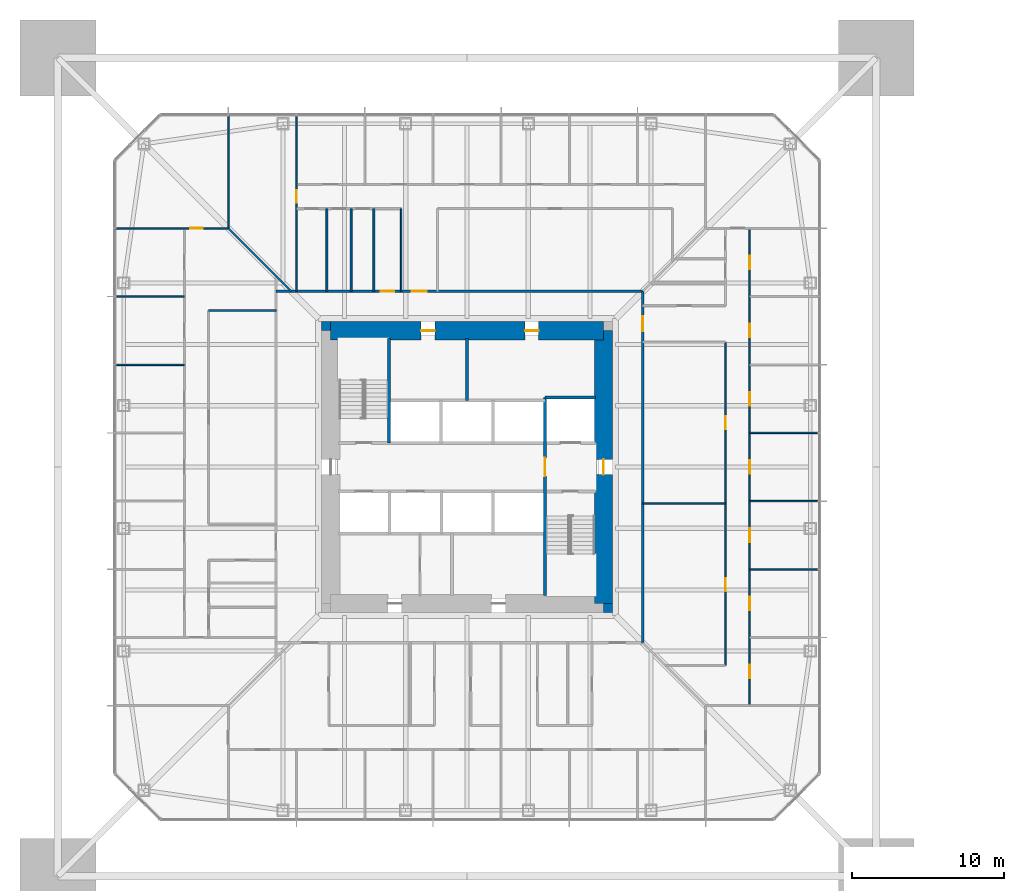
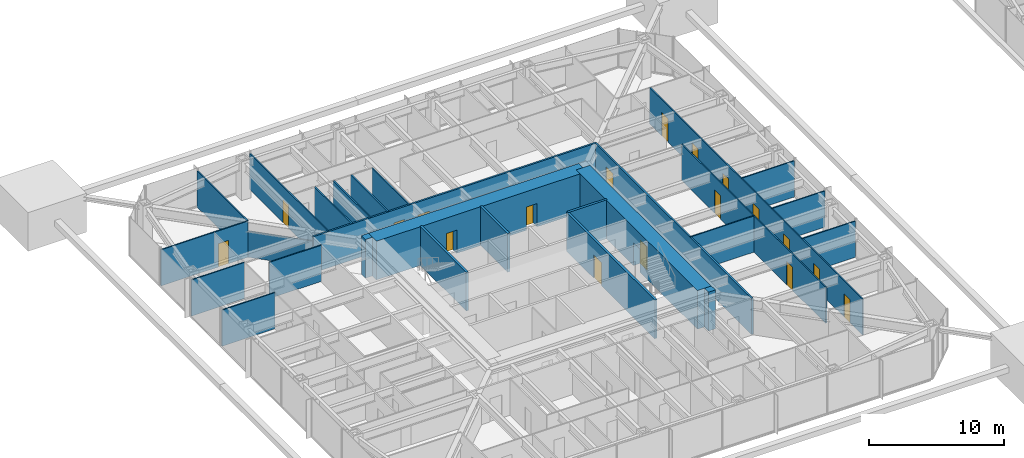
# One storey, part 17 of 27: 27 walls, 18 doors, 18 openings.
"""IFC4 building model written with IfcOpenShell, lengths in metres."""

from ifc_helpers import new_model, si_unit, direction, frame, frame_2d, origin, place, context, subcontext, project, spatial, rectangle, extrude, material, layer, layer_set, type_object, element, fill, save


model = new_model("IFC4")

# Units and contexts
model_context = context("Model", 3, precision=1e-05, world=origin(), true_north=direction((0.0, 1.0)))
body_context = subcontext(model_context, "Body", "Model", "MODEL_VIEW")
ifc_project = project(units=[si_unit("LENGTHUNIT", "METRE"), si_unit("AREAUNIT", "SQUARE_METRE"), si_unit("VOLUMEUNIT", "CUBIC_METRE"), si_unit("PLANEANGLEUNIT", "RADIAN"), si_unit("MASSUNIT", "GRAM", prefix="KILO")], contexts=[model_context])

# Site, building, storey
site_placement = place(None, origin())
site = spatial("IfcSite", under=ifc_project, at=site_placement, CompositionType="ELEMENT")
building_placement = place(site_placement, origin())
building = spatial("IfcBuilding", under=site, at=building_placement, Name="Iwan Alto Co-Living Towers", CompositionType="ELEMENT")
storey_placement = place(building_placement, frame((0.0, 0.0, 53.5)))
storey = spatial("IfcBuildingStorey", under=building, at=storey_placement, Name="L14", CompositionType="ELEMENT", Elevation=53.5)

# Wall, openings, doors
ifc_material_1 = material(Name="Gypsum board")
ifc_layer_1 = layer(ifc_material_1, 0.02490234375, Name="Board", Category="Finish")
ifc_material_2 = material(Name="Steel ASTM A1003 ST33H cold-formed studs", Category="steel")
ifc_layer_2 = layer(ifc_material_2, 0.10009765625, Name="Studs", Category="Framing")
ifc_layer_3 = layer(ifc_material_1, 0.02490234375, Name="Board", Category="Finish")
ifc_layer_set_1 = layer_set([ifc_layer_1, ifc_layer_2, ifc_layer_3], Name="CORRIDOR WALL 150")
wall_type_1 = type_object("IfcWallType", Name="CORRIDOR WALL 150", PredefinedType="PARTITIONING", material=ifc_layer_set_1)
wall_1_placement = place(storey_placement, frame((-12.60009765625, 11.60009765625, 0.0), z_axis=(0.0, 0.0, 1.0), x_axis=(1.0, 0.0, 0.0)))
wall_1 = element("IfcWall", 1, at=wall_1_placement, inside=storey, type_object=wall_type_1, Name="Partition L14", PredefinedType="PARTITIONING", context=body_context, shape_type="SweptSolid", body=[
    extrude(rectangle(XDim=24.2001953125, YDim=0.14990234375, at=frame_2d((12.10009765625, 0.0))), origin(), (0.0, 0.0, 1.0), 3.27001953125),
])
opening_1_placement = place(wall_1_placement, frame((8.949951171875, 0.0, 0.0)))
opening_1 = element("IfcOpeningElement", 2, at=opening_1_placement, cuts=wall_1, Name="Opening D3", PredefinedType="OPENING", context=body_context, shape_type="SweptSolid", body=[
    extrude(rectangle(XDim=1.0, YDim=2.10009765625, at=frame_2d((0.5, 1.050048828125))), frame((0.0, 0.0849609375, 0.0), z_axis=(0.0, -1.0, 0.0), x_axis=(1.0, 0.0, 0.0)), (0.0, 0.0, 1.0), 0.169921875),
])
opening_2_placement = place(wall_1_placement, frame((6.89990234375, 0.0, 0.0)))
opening_2 = element("IfcOpeningElement", 3, at=opening_2_placement, cuts=wall_1, Name="Opening D8", PredefinedType="OPENING", context=body_context, shape_type="SweptSolid", body=[
    extrude(rectangle(XDim=0.89990234375, YDim=2.10009765625, at=frame_2d((0.449951171875, 1.050048828125))), frame((0.0, 0.0849609375, 0.0), z_axis=(0.0, -1.0, 0.0), x_axis=(1.0, 0.0, 0.0)), (0.0, 0.0, 1.0), 0.169921875),
])
ifc_material_3 = material(Name="Steel frame with timber leaf", Category="steel")
door_type_1 = type_object("IfcDoorType", Name="FLAT ENTRANCE DOOR FD30S 1000X2100", OperationType="SINGLE_SWING_LEFT", PredefinedType="DOOR", material=ifc_material_3)
door_1_placement = place(opening_1_placement, origin())
door_1 = element("IfcDoor", 4, at=door_1_placement, inside=storey, type_object=door_type_1, Name="Cluster lounge and shared kitchen door L14", OperationType="SINGLE_SWING_LEFT", OverallHeight=2.10009765625, OverallWidth=1.0, PredefinedType="DOOR", context=body_context, shape_type="SweptSolid", body=[
    extrude(rectangle(XDim=1.0, YDim=2.10009765625, at=frame_2d((0.5, 1.050048828125))), frame((0.0, 0.02490234375, 0.0), z_axis=(0.0, -1.0, 0.0), x_axis=(1.0, 0.0, 0.0)), (0.0, 0.0, 1.0), 0.050048828125),
])
fill(opening_1, door_1)
ifc_material_4 = material(Name="Steel frame with timber leaf", Category="steel")
door_type_2 = type_object("IfcDoorType", Name="RISER DOOR FD120 900X2100", OperationType="SINGLE_SWING_LEFT", PredefinedType="DOOR", material=ifc_material_4)
door_2_placement = place(opening_2_placement, origin())
door_2 = element("IfcDoor", 5, at=door_2_placement, inside=storey, type_object=door_type_2, Name="Staff WC door L14", OperationType="SINGLE_SWING_LEFT", OverallHeight=2.10009765625, OverallWidth=0.89990234375, PredefinedType="DOOR", context=body_context, shape_type="SweptSolid", body=[
    extrude(rectangle(XDim=0.89990234375, YDim=2.10009765625, at=frame_2d((0.449951171875, 1.050048828125))), frame((0.0, 0.02490234375, 0.0), z_axis=(0.0, -1.0, 0.0), x_axis=(1.0, 0.0, 0.0)), (0.0, 0.0, 1.0), 0.050048828125),
])
fill(opening_2, door_2)

# Wall, opening, door
wall_2_placement = place(storey_placement, frame((11.60009765625, -11.60009765625, 0.0), z_axis=(0.0, 0.0, 1.0), x_axis=(0.0, 1.0, 0.0)))
wall_2 = element("IfcWall", 6, at=wall_2_placement, inside=storey, type_object=wall_type_1, Name="Partition L14", PredefinedType="PARTITIONING", context=body_context, shape_type="SweptSolid", body=[
    extrude(rectangle(XDim=23.2001953125, YDim=0.14990234375, at=frame_2d((11.60009765625, 0.0))), origin(), (0.0, 0.0, 1.0), 3.27001953125),
])
opening_3_placement = place(wall_2_placement, frame((20.550048828125, 0.0, 0.0)))
opening_3 = element("IfcOpeningElement", 7, at=opening_3_placement, cuts=wall_2, Name="Opening D3", PredefinedType="OPENING", context=body_context, shape_type="SweptSolid", body=[
    extrude(rectangle(XDim=1.0, YDim=2.10009765625, at=frame_2d((0.5, 1.050048828125))), frame((0.0, 0.0849609375, 0.0), z_axis=(0.0, -1.0, 0.0), x_axis=(1.0, 0.0, 0.0)), (0.0, 0.0, 1.0), 0.169921875),
])
door_3_placement = place(opening_3_placement, frame((1.0, 0.0, 0.0), z_axis=(0.0, 0.0, 1.0), x_axis=(-1.0, 0.0, 0.0)))
door_3 = element("IfcDoor", 8, at=door_3_placement, inside=storey, type_object=door_type_1, Name="Cluster lounge door L14", OperationType="SINGLE_SWING_RIGHT", OverallHeight=2.10009765625, OverallWidth=1.0, PredefinedType="DOOR", context=body_context, shape_type="SweptSolid", body=[
    extrude(rectangle(XDim=1.0, YDim=2.10009765625, at=frame_2d((0.5, 1.050048828125))), frame((0.0, 0.02490234375, 0.0), z_axis=(0.0, -1.0, 0.0), x_axis=(1.0, 0.0, 0.0)), (0.0, 0.0, 1.0), 0.050048828125),
])
fill(opening_3, door_3)

# Walls
ifc_layer_4 = layer(ifc_material_1, 0.012451171875, Name="Board", Category="Finish")
ifc_layer_5 = layer(ifc_material_2, 0.074951171875, Name="Studs", Category="Framing")
ifc_layer_6 = layer(ifc_material_1, 0.012451171875, Name="Board", Category="Finish")
ifc_layer_set_2 = layer_set([ifc_layer_4, ifc_layer_5, ifc_layer_6], Name="PARTITION 100")
wall_type_2 = type_object("IfcWallType", Name="PARTITION 100", PredefinedType="PARTITIONING", material=ifc_layer_set_2)
wall_3_placement = place(storey_placement, frame((18.64990234375, -6.75, 0.0), z_axis=(0.0, 0.0, 1.0), x_axis=(1.0, 0.0, 0.0)))
element("IfcWall", 9, at=wall_3_placement, inside=storey, type_object=wall_type_2, Name="Partition L14", PredefinedType="PARTITIONING", context=body_context, shape_type="SweptSolid", body=[
    extrude(rectangle(XDim=4.5400390625, YDim=0.10009765625, at=frame_2d((2.27001953125, 0.0))), origin(), (0.0, 0.0, 1.0), 3.27001953125),
])
wall_4_placement = place(storey_placement, frame((11.60009765625, -2.419921875, 0.0), z_axis=(0.0, 0.0, 1.0), x_axis=(1.0, 0.0, 0.0)))
element("IfcWall", 10, at=wall_4_placement, inside=storey, type_object=wall_type_2, Name="Partition L14", PredefinedType="PARTITIONING", context=body_context, shape_type="SweptSolid", body=[
    extrude(rectangle(XDim=5.449951171875, YDim=0.10009765625, at=frame_2d((2.72509765625, 0.0))), origin(), (0.0, 0.0, 1.0), 3.27001953125),
])
for number, where, z_axis, x_axis, name in (
    (11, (18.64990234375, -2.25, 0.0), (0.0, 0.0, 1.0), (1.0, 0.0, 0.0), "Partition L14"),
    (12, (18.64990234375, 2.25, 0.0), (0.0, 0.0, 1.0), (1.0, 0.0, 0.0), "Partition L14"),
    (13, (-23.18994140625, 6.75, 0.0), (0.0, 0.0, 1.0), (1.0, 0.0, 0.0), "Partition L14"),
):
    element("IfcWall", number, at=place(storey_placement, frame(where, z_axis=z_axis, x_axis=x_axis)), inside=storey, type_object=wall_type_2, Name=name, PredefinedType="PARTITIONING", context=body_context, shape_type="SweptSolid", body=[
        extrude(rectangle(XDim=4.5400390625, YDim=0.10009765625, at=frame_2d((2.27001953125, 0.0))), origin(), (0.0, 0.0, 1.0), 3.27001953125),
    ])
wall_5_placement = place(storey_placement, frame((-17.050048828125, 10.330078125, 0.0), z_axis=(0.0, 0.0, 1.0), x_axis=(1.0, 0.0, 0.0)))
element("IfcWall", 14, at=wall_5_placement, inside=storey, type_object=wall_type_2, Name="Partition L14", PredefinedType="PARTITIONING", context=body_context, shape_type="SweptSolid", body=[
    extrude(rectangle(XDim=4.449951171875, YDim=0.10009765625, at=frame_2d((2.22509765625, 0.0))), origin(), (0.0, 0.0, 1.0), 3.27001953125),
])
wall_6_placement = place(storey_placement, frame((-23.18994140625, 11.25, 0.0), z_axis=(0.0, 0.0, 1.0), x_axis=(1.0, 0.0, 0.0)))
element("IfcWall", 15, at=wall_6_placement, inside=storey, type_object=wall_type_2, Name="Partition L14", PredefinedType="PARTITIONING", context=body_context, shape_type="SweptSolid", body=[
    extrude(rectangle(XDim=4.5400390625, YDim=0.10009765625, at=frame_2d((2.27001953125, 0.0))), origin(), (0.0, 0.0, 1.0), 3.27001953125),
])

# Wall, opening, door
wall_7_placement = place(storey_placement, frame((-23.18994140625, 15.75, 0.0), z_axis=(0.0, 0.0, 1.0), x_axis=(1.0, 0.0, 0.0)))
wall_7 = element("IfcWall", 16, at=wall_7_placement, inside=storey, type_object=wall_type_2, Name="Partition L14", PredefinedType="PARTITIONING", context=body_context, shape_type="SweptSolid", body=[
    extrude(rectangle(XDim=7.43994140625, YDim=0.10009765625, at=frame_2d((3.719970703125, 0.0))), origin(), (0.0, 0.0, 1.0), 3.27001953125),
])
opening_4_placement = place(wall_7_placement, frame((4.9150390625, 0.0, 0.0)))
opening_4 = element("IfcOpeningElement", 17, at=opening_4_placement, cuts=wall_7, Name="Opening D2", PredefinedType="OPENING", context=body_context, shape_type="SweptSolid", body=[
    extrude(rectangle(XDim=0.85009765625, YDim=2.10009765625, at=frame_2d((0.425048828125, 1.050048828125))), frame((0.0, 0.06005859375, 0.0), z_axis=(0.0, -1.0, 0.0), x_axis=(1.0, 0.0, 0.0)), (0.0, 0.0, 1.0), 0.1201171875),
])
ifc_material_5 = material(Name="Timber leaf in steel frame", Category="steel")
door_type_3 = type_object("IfcDoorType", Name="ROOM DOOR 850X2100", OperationType="SINGLE_SWING_LEFT", PredefinedType="DOOR", material=ifc_material_5)
door_4_placement = place(opening_4_placement, frame((0.85009765625, 0.0, 0.0), z_axis=(0.0, 0.0, 1.0), x_axis=(-1.0, 0.0, 0.0)))
door_4 = element("IfcDoor", 18, at=door_4_placement, inside=storey, type_object=door_type_3, Name="Study lounge door L14", OperationType="SINGLE_SWING_RIGHT", OverallHeight=2.10009765625, OverallWidth=0.85009765625, PredefinedType="DOOR", context=body_context, shape_type="SweptSolid", body=[
    extrude(rectangle(XDim=0.85009765625, YDim=2.10009765625, at=frame_2d((0.425048828125, 1.050048828125))), frame((0.0, 0.02490234375, 0.0), z_axis=(0.0, -1.0, 0.0), x_axis=(1.0, 0.0, 0.0)), (0.0, 0.0, 1.0), 0.050048828125),
])
fill(opening_4, door_4)

# Wall, openings, doors
wall_8_placement = place(storey_placement, frame((18.64990234375, -15.75, 0.0), z_axis=(0.0, 0.0, 1.0), x_axis=(0.0, 1.0, 0.0)))
wall_8 = element("IfcWall", 19, at=wall_8_placement, inside=storey, type_object=wall_type_2, Name="Partition L14", PredefinedType="PARTITIONING", context=body_context, shape_type="SweptSolid", body=[
    extrude(rectangle(XDim=31.5, YDim=0.10009765625, at=frame_2d((15.75, 0.0))), origin(), (0.0, 0.0, 1.0), 3.27001953125),
])
opening_5_placement = place(wall_8_placement, frame((1.800048828125, 0.0, 0.0)))
opening_5 = element("IfcOpeningElement", 20, at=opening_5_placement, cuts=wall_8, Name="Opening D1", PredefinedType="OPENING", context=body_context, shape_type="SweptSolid", body=[
    extrude(rectangle(XDim=0.89990234375, YDim=2.10009765625, at=frame_2d((0.449951171875, 1.050048828125))), frame((0.0, 0.06005859375, 0.0), z_axis=(0.0, -1.0, 0.0), x_axis=(1.0, 0.0, 0.0)), (0.0, 0.0, 1.0), 0.1201171875),
])
opening_6_placement = place(wall_8_placement, frame((6.300048828125, 0.0, 0.0)))
opening_6 = element("IfcOpeningElement", 21, at=opening_6_placement, cuts=wall_8, Name="Opening D1", PredefinedType="OPENING", context=body_context, shape_type="SweptSolid", body=[
    extrude(rectangle(XDim=0.89990234375, YDim=2.10009765625, at=frame_2d((0.449951171875, 1.050048828125))), frame((0.0, 0.06005859375, 0.0), z_axis=(0.0, -1.0, 0.0), x_axis=(1.0, 0.0, 0.0)), (0.0, 0.0, 1.0), 0.1201171875),
])
opening_7_placement = place(wall_8_placement, frame((10.800048828125, 0.0, 0.0)))
opening_7 = element("IfcOpeningElement", 22, at=opening_7_placement, cuts=wall_8, Name="Opening D1", PredefinedType="OPENING", context=body_context, shape_type="SweptSolid", body=[
    extrude(rectangle(XDim=0.89990234375, YDim=2.10009765625, at=frame_2d((0.449951171875, 1.050048828125))), frame((0.0, 0.06005859375, 0.0), z_axis=(0.0, -1.0, 0.0), x_axis=(1.0, 0.0, 0.0)), (0.0, 0.0, 1.0), 0.1201171875),
])
opening_8_placement = place(wall_8_placement, frame((15.300048828125, 0.0, 0.0)))
opening_8 = element("IfcOpeningElement", 23, at=opening_8_placement, cuts=wall_8, Name="Opening D1", PredefinedType="OPENING", context=body_context, shape_type="SweptSolid", body=[
    extrude(rectangle(XDim=0.89990234375, YDim=2.10009765625, at=frame_2d((0.449951171875, 1.050048828125))), frame((0.0, 0.06005859375, 0.0), z_axis=(0.0, -1.0, 0.0), x_axis=(1.0, 0.0, 0.0)), (0.0, 0.0, 1.0), 0.1201171875),
])
opening_9_placement = place(wall_8_placement, frame((19.800048828125, 0.0, 0.0)))
opening_9 = element("IfcOpeningElement", 24, at=opening_9_placement, cuts=wall_8, Name="Opening D1", PredefinedType="OPENING", context=body_context, shape_type="SweptSolid", body=[
    extrude(rectangle(XDim=0.89990234375, YDim=2.10009765625, at=frame_2d((0.449951171875, 1.050048828125))), frame((0.0, 0.06005859375, 0.0), z_axis=(0.0, -1.0, 0.0), x_axis=(1.0, 0.0, 0.0)), (0.0, 0.0, 1.0), 0.1201171875),
])
opening_10_placement = place(wall_8_placement, frame((24.300048828125, 0.0, 0.0)))
opening_10 = element("IfcOpeningElement", 25, at=opening_10_placement, cuts=wall_8, Name="Opening D1", PredefinedType="OPENING", context=body_context, shape_type="SweptSolid", body=[
    extrude(rectangle(XDim=0.89990234375, YDim=2.10009765625, at=frame_2d((0.449951171875, 1.050048828125))), frame((0.0, 0.06005859375, 0.0), z_axis=(0.0, -1.0, 0.0), x_axis=(1.0, 0.0, 0.0)), (0.0, 0.0, 1.0), 0.1201171875),
])
opening_11_placement = place(wall_8_placement, frame((28.800048828125, 0.0, 0.0)))
opening_11 = element("IfcOpeningElement", 26, at=opening_11_placement, cuts=wall_8, Name="Opening D1", PredefinedType="OPENING", context=body_context, shape_type="SweptSolid", body=[
    extrude(rectangle(XDim=0.89990234375, YDim=2.10009765625, at=frame_2d((0.449951171875, 1.050048828125))), frame((0.0, 0.06005859375, 0.0), z_axis=(0.0, -1.0, 0.0), x_axis=(1.0, 0.0, 0.0)), (0.0, 0.0, 1.0), 0.1201171875),
])
ifc_material_6 = material(Name="Timber leaf in steel frame", Category="steel")
door_type_4 = type_object("IfcDoorType", Name="BEDROOM DOOR 900X2100", OperationType="SINGLE_SWING_LEFT", PredefinedType="DOOR", material=ifc_material_6)
door_5_placement = place(opening_5_placement, origin())
door_5 = element("IfcDoor", 27, at=door_5_placement, inside=storey, type_object=door_type_4, Name="Study bedroom door L14", OperationType="SINGLE_SWING_LEFT", OverallHeight=2.10009765625, OverallWidth=0.89990234375, PredefinedType="DOOR", context=body_context, shape_type="SweptSolid", body=[
    extrude(rectangle(XDim=0.89990234375, YDim=2.10009765625, at=frame_2d((0.449951171875, 1.050048828125))), frame((0.0, 0.02490234375, 0.0), z_axis=(0.0, -1.0, 0.0), x_axis=(1.0, 0.0, 0.0)), (0.0, 0.0, 1.0), 0.050048828125),
])
fill(opening_5, door_5)
door_6_placement = place(opening_6_placement, origin())
door_6 = element("IfcDoor", 28, at=door_6_placement, inside=storey, type_object=door_type_4, Name="Study bedroom door L14", OperationType="SINGLE_SWING_LEFT", OverallHeight=2.10009765625, OverallWidth=0.89990234375, PredefinedType="DOOR", context=body_context, shape_type="SweptSolid", body=[
    extrude(rectangle(XDim=0.89990234375, YDim=2.10009765625, at=frame_2d((0.449951171875, 1.050048828125))), frame((0.0, 0.02490234375, 0.0), z_axis=(0.0, -1.0, 0.0), x_axis=(1.0, 0.0, 0.0)), (0.0, 0.0, 1.0), 0.050048828125),
])
fill(opening_6, door_6)
door_7_placement = place(opening_7_placement, origin())
door_7 = element("IfcDoor", 29, at=door_7_placement, inside=storey, type_object=door_type_4, Name="Study bedroom door L14", OperationType="SINGLE_SWING_LEFT", OverallHeight=2.10009765625, OverallWidth=0.89990234375, PredefinedType="DOOR", context=body_context, shape_type="SweptSolid", body=[
    extrude(rectangle(XDim=0.89990234375, YDim=2.10009765625, at=frame_2d((0.449951171875, 1.050048828125))), frame((0.0, 0.02490234375, 0.0), z_axis=(0.0, -1.0, 0.0), x_axis=(1.0, 0.0, 0.0)), (0.0, 0.0, 1.0), 0.050048828125),
])
fill(opening_7, door_7)
door_8_placement = place(opening_8_placement, origin())
door_8 = element("IfcDoor", 30, at=door_8_placement, inside=storey, type_object=door_type_4, Name="Study bedroom door L14", OperationType="SINGLE_SWING_LEFT", OverallHeight=2.10009765625, OverallWidth=0.89990234375, PredefinedType="DOOR", context=body_context, shape_type="SweptSolid", body=[
    extrude(rectangle(XDim=0.89990234375, YDim=2.10009765625, at=frame_2d((0.449951171875, 1.050048828125))), frame((0.0, 0.02490234375, 0.0), z_axis=(0.0, -1.0, 0.0), x_axis=(1.0, 0.0, 0.0)), (0.0, 0.0, 1.0), 0.050048828125),
])
fill(opening_8, door_8)
door_9_placement = place(opening_9_placement, origin())
door_9 = element("IfcDoor", 31, at=door_9_placement, inside=storey, type_object=door_type_4, Name="Study bedroom door L14", OperationType="SINGLE_SWING_RIGHT", OverallHeight=2.10009765625, OverallWidth=0.89990234375, PredefinedType="DOOR", context=body_context, shape_type="SweptSolid", body=[
    extrude(rectangle(XDim=0.89990234375, YDim=2.10009765625, at=frame_2d((0.449951171875, 1.050048828125))), frame((0.0, 0.02490234375, 0.0), z_axis=(0.0, -1.0, 0.0), x_axis=(1.0, 0.0, 0.0)), (0.0, 0.0, 1.0), 0.050048828125),
])
fill(opening_9, door_9)
door_10_placement = place(opening_10_placement, origin())
door_10 = element("IfcDoor", 32, at=door_10_placement, inside=storey, type_object=door_type_4, Name="Study bedroom door L14", OperationType="SINGLE_SWING_RIGHT", OverallHeight=2.10009765625, OverallWidth=0.89990234375, PredefinedType="DOOR", context=body_context, shape_type="SweptSolid", body=[
    extrude(rectangle(XDim=0.89990234375, YDim=2.10009765625, at=frame_2d((0.449951171875, 1.050048828125))), frame((0.0, 0.02490234375, 0.0), z_axis=(0.0, -1.0, 0.0), x_axis=(1.0, 0.0, 0.0)), (0.0, 0.0, 1.0), 0.050048828125),
])
fill(opening_10, door_10)
door_11_placement = place(opening_11_placement, origin())
door_11 = element("IfcDoor", 33, at=door_11_placement, inside=storey, type_object=door_type_4, Name="Study bedroom door L14", OperationType="SINGLE_SWING_RIGHT", OverallHeight=2.10009765625, OverallWidth=0.89990234375, PredefinedType="DOOR", context=body_context, shape_type="SweptSolid", body=[
    extrude(rectangle(XDim=0.89990234375, YDim=2.10009765625, at=frame_2d((0.449951171875, 1.050048828125))), frame((0.0, 0.02490234375, 0.0), z_axis=(0.0, -1.0, 0.0), x_axis=(1.0, 0.0, 0.0)), (0.0, 0.0, 1.0), 0.050048828125),
])
fill(opening_11, door_11)

wall_9_placement = place(storey_placement, frame((17.050048828125, -13.090087890625, 0.0), z_axis=(0.0, 0.0, 1.0), x_axis=(0.0, 1.0, 0.0)))
wall_9 = element("IfcWall", 34, at=wall_9_placement, inside=storey, type_object=wall_type_2, Name="Partition L14", PredefinedType="PARTITIONING", context=body_context, shape_type="SweptSolid", body=[
    extrude(rectangle(XDim=21.340087890625, YDim=0.10009765625, at=frame_2d((10.669921875, 0.0))), origin(), (0.0, 0.0, 1.0), 3.27001953125),
])
opening_12_placement = place(wall_9_placement, frame((4.909912109375, 0.0, 0.0)))
opening_12 = element("IfcOpeningElement", 35, at=opening_12_placement, cuts=wall_9, Name="Opening D2", PredefinedType="OPENING", context=body_context, shape_type="SweptSolid", body=[
    extrude(rectangle(XDim=0.85009765625, YDim=2.10009765625, at=frame_2d((0.425048828125, 1.050048828125))), frame((0.0, 0.06005859375, 0.0), z_axis=(0.0, -1.0, 0.0), x_axis=(1.0, 0.0, 0.0)), (0.0, 0.0, 1.0), 0.1201171875),
])
opening_13_placement = place(wall_9_placement, frame((15.580078125, 0.0, 0.0)))
opening_13 = element("IfcOpeningElement", 36, at=opening_13_placement, cuts=wall_9, Name="Opening D2", PredefinedType="OPENING", context=body_context, shape_type="SweptSolid", body=[
    extrude(rectangle(XDim=0.85009765625, YDim=2.10009765625, at=frame_2d((0.425048828125, 1.050048828125))), frame((0.0, 0.06005859375, 0.0), z_axis=(0.0, -1.0, 0.0), x_axis=(1.0, 0.0, 0.0)), (0.0, 0.0, 1.0), 0.1201171875),
])
door_12_placement = place(opening_12_placement, frame((0.85009765625, 0.0, 0.0), z_axis=(0.0, 0.0, 1.0), x_axis=(-1.0, 0.0, 0.0)))
door_12 = element("IfcDoor", 37, at=door_12_placement, inside=storey, type_object=door_type_3, Name="Study lounge door L14", OperationType="SINGLE_SWING_RIGHT", OverallHeight=2.10009765625, OverallWidth=0.85009765625, PredefinedType="DOOR", context=body_context, shape_type="SweptSolid", body=[
    extrude(rectangle(XDim=0.85009765625, YDim=2.10009765625, at=frame_2d((0.425048828125, 1.050048828125))), frame((0.0, 0.02490234375, 0.0), z_axis=(0.0, -1.0, 0.0), x_axis=(1.0, 0.0, 0.0)), (0.0, 0.0, 1.0), 0.050048828125),
])
fill(opening_12, door_12)
door_13_placement = place(opening_13_placement, frame((0.85009765625, 0.0, 0.0), z_axis=(0.0, 0.0, 1.0), x_axis=(-1.0, 0.0, 0.0)))
door_13 = element("IfcDoor", 38, at=door_13_placement, inside=storey, type_object=door_type_3, Name="Study lounge door L14", OperationType="SINGLE_SWING_LEFT", OverallHeight=2.10009765625, OverallWidth=0.85009765625, PredefinedType="DOOR", context=body_context, shape_type="SweptSolid", body=[
    extrude(rectangle(XDim=0.85009765625, YDim=2.10009765625, at=frame_2d((0.425048828125, 1.050048828125))), frame((0.0, 0.02490234375, 0.0), z_axis=(0.0, -1.0, 0.0), x_axis=(1.0, 0.0, 0.0)), (0.0, 0.0, 1.0), 0.050048828125),
])
fill(opening_13, door_13)

# Wall
wall_10_placement = place(storey_placement, frame((-4.35009765625, 11.60009765625, 0.0), z_axis=(0.0, 0.0, 1.0), x_axis=(0.0, 1.0, 0.0)))
element("IfcWall", 39, at=wall_10_placement, inside=storey, type_object=wall_type_2, Name="Partition L14", PredefinedType="PARTITIONING", context=body_context, shape_type="SweptSolid", body=[
    extrude(rectangle(XDim=5.449951171875, YDim=0.10009765625, at=frame_2d((2.72509765625, 0.0))), origin(), (0.0, 0.0, 1.0), 3.27001953125),
])

# Wall, opening, door
wall_11_placement = place(storey_placement, frame((-11.25, 11.60009765625, 0.0), z_axis=(0.0, 0.0, 1.0), x_axis=(0.0, 1.0, 0.0)))
wall_11 = element("IfcWall", 40, at=wall_11_placement, inside=storey, type_object=wall_type_2, Name="Partition L14", PredefinedType="PARTITIONING", context=body_context, shape_type="SweptSolid", body=[
    extrude(rectangle(XDim=11.58984375, YDim=0.10009765625, at=frame_2d((5.794921875, 0.0))), origin(), (0.0, 0.0, 1.0), 3.27001953125),
])
opening_14_placement = place(wall_11_placement, frame((5.824951171875, 0.0, 0.0)))
opening_14 = element("IfcOpeningElement", 41, at=opening_14_placement, cuts=wall_11, Name="Opening D2", PredefinedType="OPENING", context=body_context, shape_type="SweptSolid", body=[
    extrude(rectangle(XDim=0.85009765625, YDim=2.10009765625, at=frame_2d((0.425048828125, 1.050048828125))), frame((0.0, 0.06005859375, 0.0), z_axis=(0.0, -1.0, 0.0), x_axis=(1.0, 0.0, 0.0)), (0.0, 0.0, 1.0), 0.1201171875),
])
door_14_placement = place(opening_14_placement, frame((0.85009765625, 0.0, 0.0), z_axis=(0.0, 0.0, 1.0), x_axis=(-1.0, 0.0, 0.0)))
door_14 = element("IfcDoor", 42, at=door_14_placement, inside=storey, type_object=door_type_3, Name="Co-working room door L14", OperationType="SINGLE_SWING_RIGHT", OverallHeight=2.10009765625, OverallWidth=0.85009765625, PredefinedType="DOOR", context=body_context, shape_type="SweptSolid", body=[
    extrude(rectangle(XDim=0.85009765625, YDim=2.10009765625, at=frame_2d((0.425048828125, 1.050048828125))), frame((0.0, 0.02490234375, 0.0), z_axis=(0.0, -1.0, 0.0), x_axis=(1.0, 0.0, 0.0)), (0.0, 0.0, 1.0), 0.050048828125),
])
fill(opening_14, door_14)

# Walls
wall_12_placement = place(storey_placement, frame((-15.75, 15.75, 0.0), z_axis=(0.0, 0.0, 1.0), x_axis=(0.0, 1.0, 0.0)))
element("IfcWall", 43, at=wall_12_placement, inside=storey, type_object=wall_type_2, Name="Partition L14", PredefinedType="PARTITIONING", context=body_context, shape_type="SweptSolid", body=[
    extrude(rectangle(XDim=7.43994140625, YDim=0.10009765625, at=frame_2d((3.719970703125, 0.0))), origin(), (0.0, 0.0, 1.0), 3.27001953125),
])
wall_13_placement = place(storey_placement, frame((-11.60009765625, 11.60009765625, 0.0), z_axis=(0.0, 0.0, 1.0), x_axis=(-0.707106781187, 0.707106781187, 0.0)))
element("IfcWall", 44, at=wall_13_placement, inside=storey, type_object=wall_type_2, Name="Partition L14", PredefinedType="PARTITIONING", context=body_context, shape_type="SweptSolid", body=[
    extrude(rectangle(XDim=5.868896484375, YDim=0.10009765625, at=frame_2d((2.9345703125, 0.0))), origin(), (0.0, 0.0, 1.0), 2.343017578125),
])
ifc_material_7 = material(Name="Concrete f'c 70 MPa", Category="concrete")
ifc_layer_7 = layer(ifc_material_7, 0.199951171875)
ifc_layer_set_3 = layer_set([ifc_layer_7], Name="SHAFT WALL 200")
wall_type_3 = type_object("IfcWallType", Name="SHAFT WALL 200", PredefinedType="SOLIDWALL", material=ifc_layer_set_3)
wall_14_placement = place(storey_placement, frame((5.14990234375, 4.60009765625, 0.0), z_axis=(0.0, 0.0, 1.0), x_axis=(1.0, 0.0, 0.0)))
element("IfcWall", 45, at=wall_14_placement, inside=storey, type_object=wall_type_3, Name="Shaft wall L14", PredefinedType="SOLIDWALL", context=body_context, shape_type="SweptSolid", body=[
    extrude(rectangle(XDim=3.340087890625, YDim=0.199951171875, at=frame_2d((1.669921875, 0.0))), origin(), (0.0, 0.0, 1.0), 3.5),
])

# Wall, opening, door
wall_15_placement = place(storey_placement, frame((5.14990234375, -8.489990234375, 0.0), z_axis=(0.0, 0.0, 1.0), x_axis=(0.0, 1.0, 0.0)))
wall_15 = element("IfcWall", 46, at=wall_15_placement, inside=storey, type_object=wall_type_3, Name="Shaft wall L14", PredefinedType="SOLIDWALL", context=body_context, shape_type="SweptSolid", body=[
    extrude(rectangle(XDim=13.090087890625, YDim=0.199951171875, at=frame_2d((6.544921875, 0.0))), origin(), (0.0, 0.0, 1.0), 3.5),
])
opening_15_placement = place(wall_15_placement, frame((7.889892578125, 0.0, 0.0)))
opening_15 = element("IfcOpeningElement", 47, at=opening_15_placement, cuts=wall_15, Name="Opening D6", PredefinedType="OPENING", context=body_context, shape_type="SweptSolid", body=[
    extrude(rectangle(XDim=1.199951171875, YDim=2.10009765625, at=frame_2d((0.60009765625, 1.050048828125))), frame((0.0, 0.10986328125, 0.0), z_axis=(0.0, -1.0, 0.0), x_axis=(1.0, 0.0, 0.0)), (0.0, 0.0, 1.0), 0.219970703125),
])
ifc_material_8 = material(Name="Steel frame with timber leaf", Category="steel")
door_type_5 = type_object("IfcDoorType", Name="LOBBY DOOR FD120S 1200X2100", OperationType="SINGLE_SWING_LEFT", PredefinedType="DOOR", material=ifc_material_8)
door_15_placement = place(opening_15_placement, frame((1.199951171875, 0.0, 0.0), z_axis=(0.0, 0.0, 1.0), x_axis=(-1.0, 0.0, 0.0)))
door_15 = element("IfcDoor", 48, at=door_15_placement, inside=storey, type_object=door_type_5, Name="Firefighting lobby door L14", OperationType="SINGLE_SWING_RIGHT", OverallHeight=2.10009765625, OverallWidth=1.199951171875, PredefinedType="DOOR", context=body_context, shape_type="SweptSolid", body=[
    extrude(rectangle(XDim=1.199951171875, YDim=2.10009765625, at=frame_2d((0.60009765625, 1.050048828125))), frame((0.0, 0.02490234375, 0.0), z_axis=(0.0, -1.0, 0.0), x_axis=(1.0, 0.0, 0.0)), (0.0, 0.0, 1.0), 0.050048828125),
])
fill(opening_15, door_15)

# Walls
wall_16_placement = place(storey_placement, frame((0.0, 4.39990234375, 0.0), z_axis=(0.0, 0.0, 1.0), x_axis=(0.0, 1.0, 0.0)))
element("IfcWall", 49, at=wall_16_placement, inside=storey, type_object=wall_type_3, Name="Shaft wall L14", PredefinedType="SOLIDWALL", context=body_context, shape_type="SweptSolid", body=[
    extrude(rectangle(XDim=4.090087890625, YDim=0.199951171875, at=frame_2d((2.044921875, 0.0))), origin(), (0.0, 0.0, 1.0), 3.5),
])
wall_17_placement = place(storey_placement, frame((-5.14990234375, 1.60009765625, 0.0), z_axis=(0.0, 0.0, 1.0), x_axis=(0.0, 1.0, 0.0)))
element("IfcWall", 50, at=wall_17_placement, inside=storey, type_object=wall_type_3, Name="Shaft wall L14", PredefinedType="SOLIDWALL", context=body_context, shape_type="SweptSolid", body=[
    extrude(rectangle(XDim=6.889892578125, YDim=0.199951171875, at=frame_2d((3.44482421875, 0.0))), origin(), (0.0, 0.0, 1.0), 3.5),
])
ifc_material_9 = material(Name="Concrete f'c 70 MPa", Category="concrete")
ifc_layer_8 = layer(ifc_material_9, 0.60009765625)
ifc_layer_set_4 = layer_set([ifc_layer_8], Name="T1 CORE CORNER FILL 600")
wall_type_4 = type_object("IfcWallType", Name="T1 CORE CORNER FILL 600", PredefinedType="SOLIDWALL", material=ifc_layer_set_4)
for number, where, z_axis, x_axis, name in (
    (51, (9.0, -9.300048828125, 0.0), (0.0, 0.0, 1.0), (1.0, 0.0, 0.0), "T1 core corner SE L14"),
    (52, (-9.60009765625, 9.300048828125, 0.0), (0.0, 0.0, 1.0), (1.0, 0.0, 0.0), "T1 core corner NW L14"),
):
    element("IfcWall", number, at=place(storey_placement, frame(where, z_axis=z_axis, x_axis=x_axis)), inside=storey, type_object=wall_type_4, Name=name, PredefinedType="SOLIDWALL", context=body_context, shape_type="SweptSolid", body=[
        extrude(rectangle(XDim=0.60009765625, YDim=0.60009765625, at=frame_2d((0.300048828125, 0.0))), origin(), (0.0, 0.0, 1.0), 3.5),
    ])

# Wall, openings, doors
ifc_material_10 = material(Name="Concrete f'c 70 MPa", Category="concrete")
ifc_layer_9 = layer(ifc_material_10, 1.199951171875)
ifc_layer_set_5 = layer_set([ifc_layer_9], Name="T1 CORE WALL 1200")
wall_type_5 = type_object("IfcWallType", Name="T1 CORE WALL 1200", PredefinedType="SHEAR", material=ifc_layer_set_5)
wall_18_placement = place(storey_placement, frame((9.0, 9.0, 0.0), z_axis=(0.0, 0.0, 1.0), x_axis=(-1.0, 0.0, 0.0)))
wall_18 = element("IfcWall", 53, at=wall_18_placement, inside=storey, type_object=wall_type_5, Name="T1 core wall N L14", PredefinedType="SHEAR", context=body_context, shape_type="SweptSolid", body=[
    extrude(rectangle(XDim=18.0, YDim=1.199951171875, at=frame_2d((9.0, 0.0))), origin(), (0.0, 0.0, 1.0), 3.5),
])
opening_16_placement = place(wall_18_placement, frame((11.125, 0.0, 0.0)))
opening_16 = element("IfcOpeningElement", 54, at=opening_16_placement, cuts=wall_18, Name="Opening D8", PredefinedType="OPENING", context=body_context, shape_type="SweptSolid", body=[
    extrude(rectangle(XDim=0.89990234375, YDim=2.10009765625, at=frame_2d((0.449951171875, 1.050048828125))), frame((0.0, 0.60986328125, 0.0), z_axis=(0.0, -1.0, 0.0), x_axis=(1.0, 0.0, 0.0)), (0.0, 0.0, 1.0), 1.219970703125),
])
opening_17_placement = place(wall_18_placement, frame((4.27490234375, 0.0, 0.0)))
opening_17 = element("IfcOpeningElement", 55, at=opening_17_placement, cuts=wall_18, Name="Opening D8", PredefinedType="OPENING", context=body_context, shape_type="SweptSolid", body=[
    extrude(rectangle(XDim=0.89990234375, YDim=2.10009765625, at=frame_2d((0.449951171875, 1.050048828125))), frame((0.0, 0.60986328125, 0.0), z_axis=(0.0, -1.0, 0.0), x_axis=(1.0, 0.0, 0.0)), (0.0, 0.0, 1.0), 1.219970703125),
])
door_16_placement = place(opening_16_placement, origin())
door_16 = element("IfcDoor", 56, at=door_16_placement, inside=storey, type_object=door_type_2, Name="Electrical riser core door L14", OperationType="SINGLE_SWING_RIGHT", OverallHeight=2.10009765625, OverallWidth=0.89990234375, PredefinedType="DOOR", context=body_context, shape_type="SweptSolid", body=[
    extrude(rectangle(XDim=0.89990234375, YDim=2.10009765625, at=frame_2d((0.449951171875, 1.050048828125))), frame((0.0, 0.02490234375, 0.0), z_axis=(0.0, -1.0, 0.0), x_axis=(1.0, 0.0, 0.0)), (0.0, 0.0, 1.0), 0.050048828125),
])
fill(opening_16, door_16)
door_17_placement = place(opening_17_placement, origin())
door_17 = element("IfcDoor", 57, at=door_17_placement, inside=storey, type_object=door_type_2, Name="Water and drainage riser core door L14", OperationType="SINGLE_SWING_RIGHT", OverallHeight=2.10009765625, OverallWidth=0.89990234375, PredefinedType="DOOR", context=body_context, shape_type="SweptSolid", body=[
    extrude(rectangle(XDim=0.89990234375, YDim=2.10009765625, at=frame_2d((0.449951171875, 1.050048828125))), frame((0.0, 0.02490234375, 0.0), z_axis=(0.0, -1.0, 0.0), x_axis=(1.0, 0.0, 0.0)), (0.0, 0.0, 1.0), 0.050048828125),
])
fill(opening_17, door_17)

# Wall, opening, door
wall_19_placement = place(storey_placement, frame((9.0, -9.0, 0.0), z_axis=(0.0, 0.0, 1.0), x_axis=(0.0, 1.0, 0.0)))
wall_19 = element("IfcWall", 58, at=wall_19_placement, inside=storey, type_object=wall_type_5, Name="T1 core wall E L14", PredefinedType="SHEAR", context=body_context, shape_type="SweptSolid", body=[
    extrude(rectangle(XDim=18.0, YDim=1.199951171875, at=frame_2d((9.0, 0.0))), origin(), (0.0, 0.0, 1.0), 3.5),
])
opening_18_placement = place(wall_19_placement, frame((8.5, 0.0, 0.0)))
opening_18 = element("IfcOpeningElement", 59, at=opening_18_placement, cuts=wall_19, Name="Opening D7", PredefinedType="OPENING", context=body_context, shape_type="SweptSolid", body=[
    extrude(rectangle(XDim=1.0, YDim=2.10009765625, at=frame_2d((0.5, 1.050048828125))), frame((0.0, 0.60986328125, 0.0), z_axis=(0.0, -1.0, 0.0), x_axis=(1.0, 0.0, 0.0)), (0.0, 0.0, 1.0), 1.219970703125),
])
ifc_material_11 = material(Name="Steel frame with timber leaf", Category="steel")
door_type_6 = type_object("IfcDoorType", Name="CORE DOOR FD120S 1000X2100", OperationType="SINGLE_SWING_LEFT", PredefinedType="DOOR", material=ifc_material_11)
door_18_placement = place(opening_18_placement, origin())
door_18 = element("IfcDoor", 60, at=door_18_placement, inside=storey, type_object=door_type_6, Name="Firefighting lobby core door L14", OperationType="SINGLE_SWING_LEFT", OverallHeight=2.10009765625, OverallWidth=1.0, PredefinedType="DOOR", context=body_context, shape_type="SweptSolid", body=[
    extrude(rectangle(XDim=1.0, YDim=2.10009765625, at=frame_2d((0.5, 1.050048828125))), frame((0.0, 0.02490234375, 0.0), z_axis=(0.0, -1.0, 0.0), x_axis=(1.0, 0.0, 0.0)), (0.0, 0.0, 1.0), 0.050048828125),
])
fill(opening_18, door_18)

# Walls
ifc_material_12 = material(Name="Cement board")
ifc_layer_10 = layer(ifc_material_12, 0.012451171875, Name="Board", Category="Finish")
ifc_layer_11 = layer(ifc_material_2, 0.094970703125, Name="Studs", Category="Framing")
ifc_layer_12 = layer(ifc_material_12, 0.012451171875, Name="Board", Category="Finish")
ifc_layer_set_6 = layer_set([ifc_layer_10, ifc_layer_11, ifc_layer_12], Name="WET AREA PARTITION 120")
wall_type_6 = type_object("IfcWallType", Name="WET AREA PARTITION 120", PredefinedType="PARTITIONING", material=ifc_layer_set_6)
for number, where, z_axis, x_axis, name in (
    (61, (-6.14990234375, 11.60009765625, 0.0), (0.0, 0.0, 1.0), (0.0, 1.0, 0.0), "Partition L14"),
    (62, (-7.64990234375, 11.60009765625, 0.0), (0.0, 0.0, 1.0), (0.0, 1.0, 0.0), "Partition L14"),
    (63, (-9.25, 11.60009765625, 0.0), (0.0, 0.0, 1.0), (0.0, 1.0, 0.0), "Partition L14"),
):
    element("IfcWall", number, at=place(storey_placement, frame(where, z_axis=z_axis, x_axis=x_axis)), inside=storey, type_object=wall_type_6, Name=name, PredefinedType="PARTITIONING", context=body_context, shape_type="SweptSolid", body=[
        extrude(rectangle(XDim=5.449951171875, YDim=0.1201171875, at=frame_2d((2.72509765625, 0.0))), origin(), (0.0, 0.0, 1.0), 3.27001953125),
    ])

save(model, "model.ifc")
